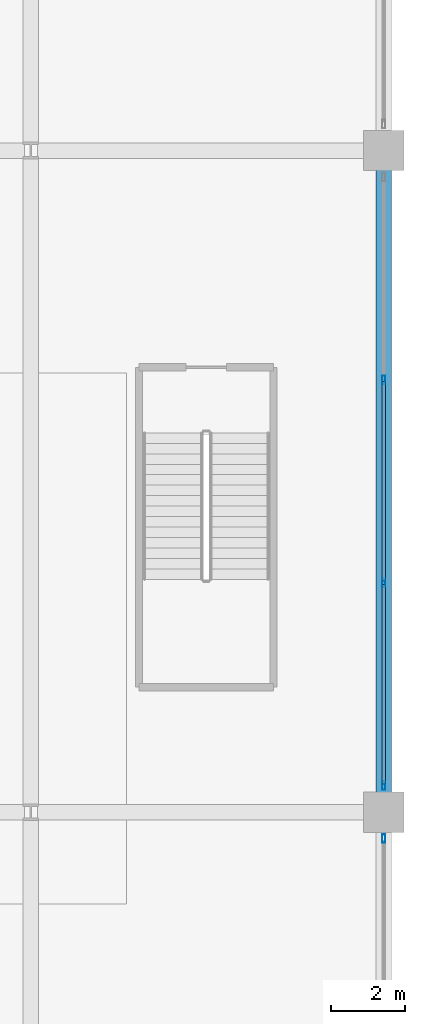
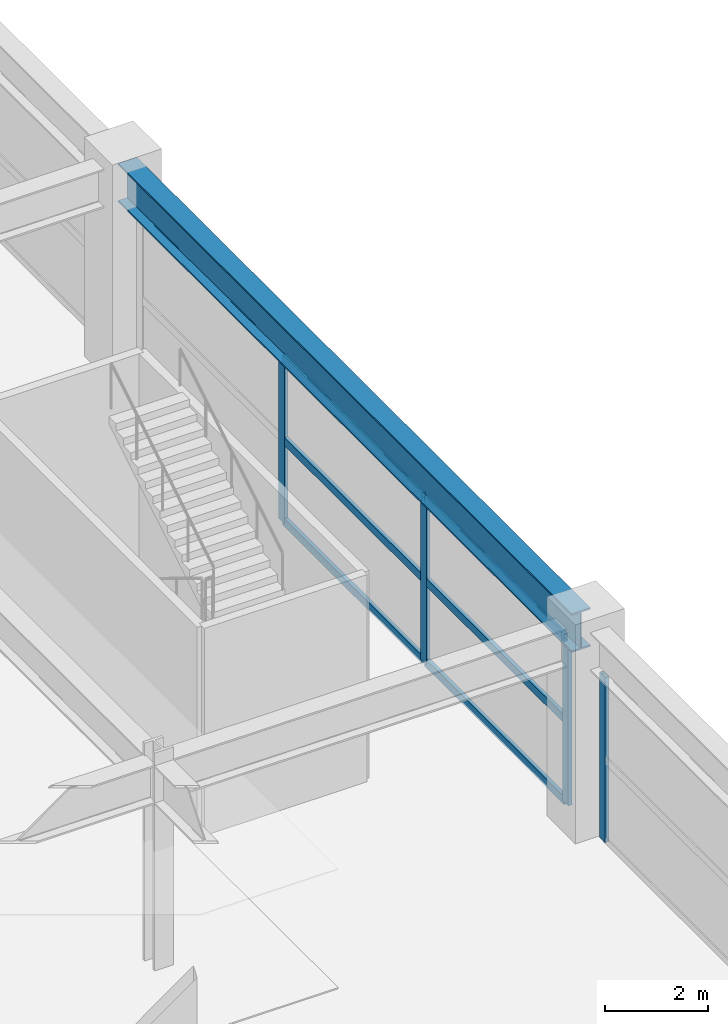
# One storey, part 29 of 45: 10 members, 1 beam, 2 elements without a shape of their own.
"""IFC4 building model written with IfcOpenShell, lengths in metres."""

from ifc_helpers import new_model, si_unit, direction, frame, origin, origin_2d, place, context, subcontext, project, spatial, hollow_rectangle, i_section, extrude, material, material_profile, profile_set, type_object, element, aggregate, save


model = new_model("IFC4")

# Units and contexts
model_context = context("Model", 3, precision=1e-05, world=origin(), true_north=direction((0.0, 1.0)))
body_context = subcontext(model_context, "Body", "Model", "MODEL_VIEW")
ifc_project = project(units=[si_unit("LENGTHUNIT", "METRE"), si_unit("AREAUNIT", "SQUARE_METRE"), si_unit("VOLUMEUNIT", "CUBIC_METRE"), si_unit("PLANEANGLEUNIT", "RADIAN"), si_unit("MASSUNIT", "GRAM", prefix="KILO")], contexts=[model_context])

# Site, building, storey
site_placement = place(None, origin())
site = spatial("IfcSite", under=ifc_project, at=site_placement, CompositionType="ELEMENT")
building_placement = place(site_placement, origin())
building = spatial("IfcBuilding", under=site, at=building_placement, Name="Kovane Verandah Tower", CompositionType="ELEMENT")
storey_placement = place(building_placement, frame((0.0, 0.0, 6.0)))
storey = spatial("IfcBuildingStorey", under=building, at=storey_placement, Name="L01", CompositionType="ELEMENT", Elevation=6.0)

# Beam
ifc_material_1 = material(Name="Steel S460", Category="steel")
ifc_material_profile_1 = material_profile(ifc_material_1, i_section(OverallWidth=0.42041015625, OverallDepth=0.9208984375, WebThickness=0.021484375, FlangeThickness=0.03662109375, FilletRadius=0.024169921875, at=origin_2d()), Name="UB914x419x388")
ifc_profile_set_1 = profile_set([ifc_material_profile_1], Name="Steel S460")
beam_type = type_object("IfcBeamType", Name="BM-UB914x388", PredefinedType="BEAM", material=ifc_profile_set_1)
beam_placement = place(storey_placement, frame((82.0, 18.679931640625, 4.439453125), z_axis=(0.0, 1.0, 0.0), x_axis=(-1.0, 0.0, 0.0)))
element("IfcBeam", 1, at=beam_placement, inside=storey, type_object=beam_type, Name="L01 Podium Grid Girder Y41", PredefinedType="BEAM", context=body_context, shape_type="SweptSolid", body=[
    extrude(i_section(OverallWidth=0.42041015625, OverallDepth=0.9208984375, WebThickness=0.021484375, FlangeThickness=0.03662109375, FilletRadius=0.024169921875, at=origin_2d()), origin(), (0.0, 0.0, 1.0), 17.64013671875),
])

# Curtain wall, member
ifc_material_2 = material(Name="Champagne Anodised Aluminium Frame with Low-E Clear Laminated Glass", Category="aluminium")
curtain_wall_type = type_object("IfcCurtainWallType", Name="CW-SYS-01-POD", PredefinedType="NOTDEFINED", material=ifc_material_2)
curtain_wall_1_placement = place(storey_placement, origin())
curtain_wall_1 = element("IfcCurtainWall", 2, at=curtain_wall_1_placement, inside=storey, type_object=curtain_wall_type, Name="L01 East Podium Curtain Wall Bay 2", PredefinedType="NOTDEFINED")
ifc_material_3 = material(Name="Champagne Anodised Aluminium 6063-T6", Category="aluminium")
ifc_material_profile_2 = material_profile(ifc_material_3, hollow_rectangle(XDim=0.0849609375, YDim=0.22998046875, WallThickness=0.00390625, at=origin_2d()), Name="AL85x230x4")
ifc_profile_set_2 = profile_set([ifc_material_profile_2], Name="Champagne Anodised Aluminium 6063-T6")
member_type_1 = type_object("IfcMemberType", Name="CW-MUL-85x230", PredefinedType="MULLION", material=ifc_profile_set_2)
member_1_placement = place(storey_placement, frame((82.0, 17.780029296875, 0.02001953125), z_axis=(0.0, 0.0, 1.0), x_axis=(1.0, 0.0, 0.0)))
member_1 = element("IfcMember", 3, at=member_1_placement, type_object=member_type_1, Name="L01 East Podium Curtain Wall Bay 2 Mullion 2", PredefinedType="MULLION", context=body_context, shape_type="SweptSolid", body=[
    extrude(hollow_rectangle(XDim=0.0849609375, YDim=0.22998046875, WallThickness=0.00390625, at=origin_2d()), origin(), (0.0, 0.0, 1.0), 3.9189453125),
])
aggregate(curtain_wall_1, [member_1])

# Curtain wall, members
curtain_wall_2_placement = place(storey_placement, origin())
curtain_wall_2 = element("IfcCurtainWall", 4, at=curtain_wall_2_placement, inside=storey, type_object=curtain_wall_type, Name="L01 East Podium Curtain Wall Bay 3", PredefinedType="NOTDEFINED")
member_2_placement = place(storey_placement, frame((82.0, 19.219970703125, 0.02001953125), z_axis=(0.0, 0.0, 1.0), x_axis=(1.0, 0.0, 0.0)))
member_2 = element("IfcMember", 5, at=member_2_placement, type_object=member_type_1, Name="L01 East Podium Curtain Wall Bay 3 Mullion 1", PredefinedType="MULLION", context=body_context, shape_type="SweptSolid", body=[
    extrude(hollow_rectangle(XDim=0.0849609375, YDim=0.22998046875, WallThickness=0.00390625, at=origin_2d()), origin(), (0.0, 0.0, 1.0), 3.9189453125),
])
member_3_placement = place(storey_placement, frame((82.0, 24.739990234375, 0.02001953125), z_axis=(0.0, 0.0, 1.0), x_axis=(1.0, 0.0, 0.0)))
member_3 = element("IfcMember", 6, at=member_3_placement, type_object=member_type_1, Name="L01 East Podium Curtain Wall Bay 3 Mullion 2", PredefinedType="MULLION", context=body_context, shape_type="SweptSolid", body=[
    extrude(hollow_rectangle(XDim=0.0849609375, YDim=0.22998046875, WallThickness=0.00390625, at=origin_2d()), origin(), (0.0, 0.0, 1.0), 3.9189453125),
])
member_4_placement = place(storey_placement, frame((82.0, 30.260009765625, 0.02001953125), z_axis=(0.0, 0.0, 1.0), x_axis=(1.0, 0.0, 0.0)))
member_4 = element("IfcMember", 7, at=member_4_placement, type_object=member_type_1, Name="L01 East Podium Curtain Wall Bay 3 Mullion 3", PredefinedType="MULLION", context=body_context, shape_type="SweptSolid", body=[
    extrude(hollow_rectangle(XDim=0.0849609375, YDim=0.22998046875, WallThickness=0.00390625, at=origin_2d()), origin(), (0.0, 0.0, 1.0), 3.9189453125),
])
ifc_material_profile_3 = material_profile(ifc_material_3, hollow_rectangle(XDim=0.0849609375, YDim=0.18994140625, WallThickness=0.00390625, at=origin_2d()), Name="AL85x190x4")
ifc_profile_set_3 = profile_set([ifc_material_profile_3], Name="Champagne Anodised Aluminium 6063-T6")
member_type_2 = type_object("IfcMemberType", Name="CW-TRN-85x190", PredefinedType="USERDEFINED", material=ifc_profile_set_3)
member_5_placement = place(storey_placement, frame((82.0, 19.27001953125, 0.050048828125), z_axis=(0.0, 1.0, 0.0), x_axis=(-1.0, 0.0, 0.0)))
member_5 = element("IfcMember", 8, at=member_5_placement, type_object=member_type_2, Name="L01 East Podium Curtain Wall Bay 3 Transom TB Bay 1", ObjectType="TRANSOM", PredefinedType="USERDEFINED", context=body_context, shape_type="SweptSolid", body=[
    extrude(hollow_rectangle(XDim=0.0849609375, YDim=0.18994140625, WallThickness=0.00390625, at=origin_2d()), origin(), (0.0, 0.0, 1.0), 5.419921875),
])
member_6_placement = place(storey_placement, frame((82.0, 19.27001953125, 1.9794921875), z_axis=(0.0, 1.0, 0.0), x_axis=(-1.0, 0.0, 0.0)))
member_6 = element("IfcMember", 9, at=member_6_placement, type_object=member_type_2, Name="L01 East Podium Curtain Wall Bay 3 Transom TM Bay 1", ObjectType="TRANSOM", PredefinedType="USERDEFINED", context=body_context, shape_type="SweptSolid", body=[
    extrude(hollow_rectangle(XDim=0.0849609375, YDim=0.18994140625, WallThickness=0.00390625, at=origin_2d()), origin(), (0.0, 0.0, 1.0), 5.419921875),
])
member_7_placement = place(storey_placement, frame((82.0, 19.27001953125, 3.908935546875), z_axis=(0.0, 1.0, 0.0), x_axis=(-1.0, 0.0, 0.0)))
member_7 = element("IfcMember", 10, at=member_7_placement, type_object=member_type_2, Name="L01 East Podium Curtain Wall Bay 3 Transom TT Bay 1", ObjectType="TRANSOM", PredefinedType="USERDEFINED", context=body_context, shape_type="SweptSolid", body=[
    extrude(hollow_rectangle(XDim=0.0849609375, YDim=0.18994140625, WallThickness=0.00390625, at=origin_2d()), origin(), (0.0, 0.0, 1.0), 5.419921875),
])
member_8_placement = place(storey_placement, frame((82.0, 24.7900390625, 0.050048828125), z_axis=(0.0, 1.0, 0.0), x_axis=(-1.0, 0.0, 0.0)))
member_8 = element("IfcMember", 11, at=member_8_placement, type_object=member_type_2, Name="L01 East Podium Curtain Wall Bay 3 Transom TB Bay 2", ObjectType="TRANSOM", PredefinedType="USERDEFINED", context=body_context, shape_type="SweptSolid", body=[
    extrude(hollow_rectangle(XDim=0.0849609375, YDim=0.18994140625, WallThickness=0.00390625, at=origin_2d()), origin(), (0.0, 0.0, 1.0), 5.419921875),
])
member_9_placement = place(storey_placement, frame((82.0, 24.7900390625, 1.9794921875), z_axis=(0.0, 1.0, 0.0), x_axis=(-1.0, 0.0, 0.0)))
member_9 = element("IfcMember", 12, at=member_9_placement, type_object=member_type_2, Name="L01 East Podium Curtain Wall Bay 3 Transom TM Bay 2", ObjectType="TRANSOM", PredefinedType="USERDEFINED", context=body_context, shape_type="SweptSolid", body=[
    extrude(hollow_rectangle(XDim=0.0849609375, YDim=0.18994140625, WallThickness=0.00390625, at=origin_2d()), origin(), (0.0, 0.0, 1.0), 5.419921875),
])
member_10_placement = place(storey_placement, frame((82.0, 24.7900390625, 3.908935546875), z_axis=(0.0, 1.0, 0.0), x_axis=(-1.0, 0.0, 0.0)))
member_10 = element("IfcMember", 13, at=member_10_placement, type_object=member_type_2, Name="L01 East Podium Curtain Wall Bay 3 Transom TT Bay 2", ObjectType="TRANSOM", PredefinedType="USERDEFINED", context=body_context, shape_type="SweptSolid", body=[
    extrude(hollow_rectangle(XDim=0.0849609375, YDim=0.18994140625, WallThickness=0.00390625, at=origin_2d()), origin(), (0.0, 0.0, 1.0), 5.419921875),
])
aggregate(curtain_wall_2, [member_2, member_3, member_4, member_5, member_6, member_7, member_8, member_9, member_10])

save(model, "model.ifc")
